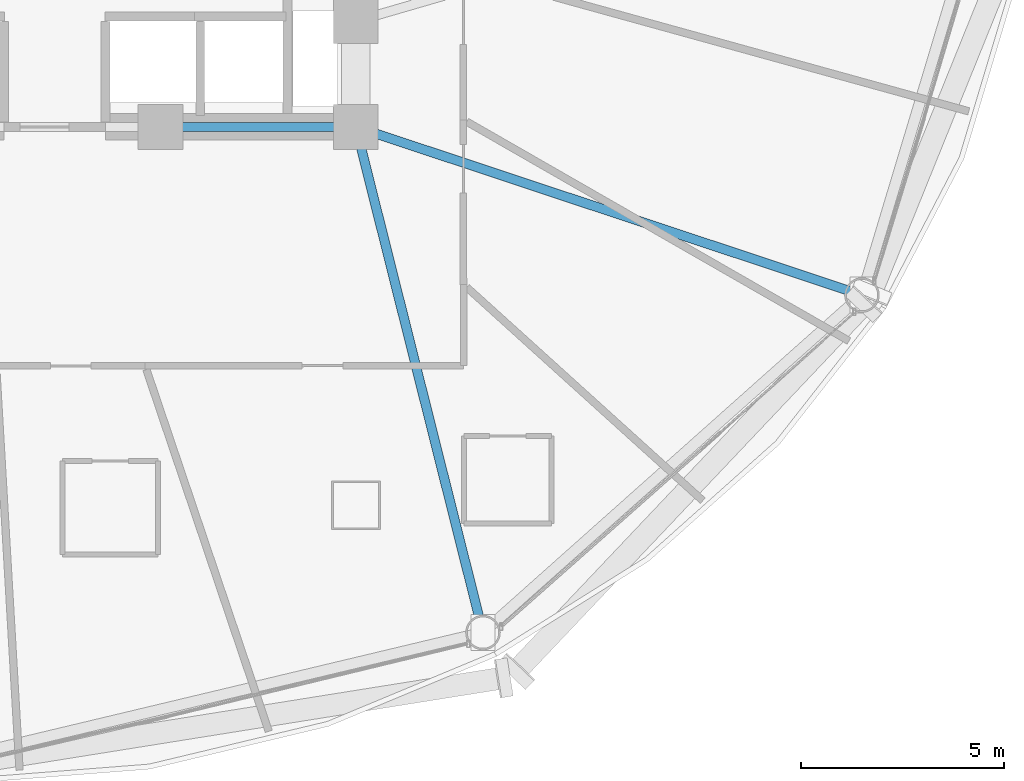
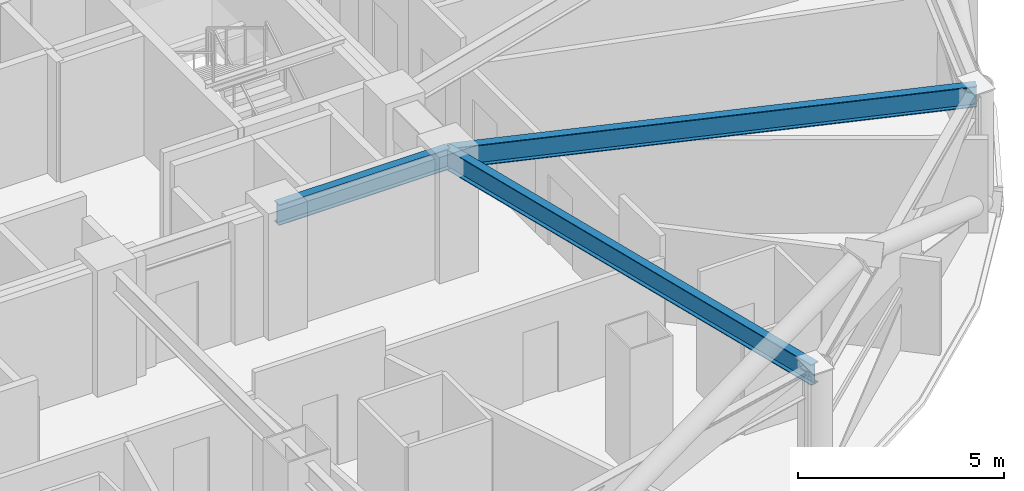
# One storey, part 9 of 31: 3 beams.
"""IFC4 building model written with IfcOpenShell, lengths in metres."""

from ifc_helpers import new_model, si_unit, direction, frame, origin, origin_2d, place, context, subcontext, project, spatial, i_section, extrude, material, material_profile, profile_set, type_object, element, save


model = new_model("IFC4")

# Units and contexts
model_context = context("Model", 3, precision=1e-05, world=origin(), true_north=direction((0.0, 1.0)))
body_context = subcontext(model_context, "Body", "Model", "MODEL_VIEW")
ifc_project = project(units=[si_unit("LENGTHUNIT", "METRE"), si_unit("AREAUNIT", "SQUARE_METRE"), si_unit("VOLUMEUNIT", "CUBIC_METRE"), si_unit("PLANEANGLEUNIT", "RADIAN"), si_unit("MASSUNIT", "GRAM", prefix="KILO")], contexts=[model_context])

# Site, building, storey
site_placement = place(None, origin())
site = spatial("IfcSite", under=ifc_project, at=site_placement, CompositionType="ELEMENT")
building_placement = place(site_placement, origin())
building = spatial("IfcBuilding", under=site, at=building_placement, Name="Vantalir Tower", CompositionType="ELEMENT")
storey_placement = place(building_placement, frame((0.0, 0.0, 34.5)))
storey = spatial("IfcBuildingStorey", under=building, at=storey_placement, Name="L07", CompositionType="ELEMENT", Elevation=34.5)

# Beams
ifc_material = material(Name="Steel S355", Category="steel")
ifc_material_profile = material_profile(ifc_material, i_section(OverallWidth=0.22998046875, OverallDepth=0.616943359375, WebThickness=0.01318359375, FlangeThickness=0.022216796875, at=origin_2d()), Name="Steel S355")
ifc_profile_set = profile_set([ifc_material_profile], Name="Steel S355")
beam_type = type_object("IfcBeamType", Name="BM-RB-610x229", PredefinedType="BEAM", material=ifc_profile_set)
beam_1_placement = place(storey_placement, frame((36.300048828125, 17.800048828125, 3.261962890625), z_axis=(1.0, 0.0, 0.0), x_axis=(0.0, 1.0, 0.0)))
element("IfcBeam", 1, at=beam_1_placement, inside=storey, type_object=beam_type, Name="L07 Core Coupling Girder 04", PredefinedType="BEAM", context=body_context, shape_type="SweptSolid", body=[
    extrude(i_section(OverallWidth=0.22998046875, OverallDepth=0.616943359375, WebThickness=0.01318359375, FlangeThickness=0.022216796875, at=origin_2d()), origin(), (0.0, 0.0, 1.0), 4.800048828125),
])
beam_2_placement = place(storey_placement, frame((44.22509765625, 5.3720703125, 3.261962890625), z_axis=(-0.24385779031, 0.969811001229, 0.0), x_axis=(-0.969811001229, -0.24385779031, 0.0)))
element("IfcBeam", 2, at=beam_2_placement, inside=storey, type_object=beam_type, Name="L07 Radial Floor Beam 11", PredefinedType="BEAM", context=body_context, shape_type="SweptSolid", body=[
    extrude(i_section(OverallWidth=0.22998046875, OverallDepth=0.616943359375, WebThickness=0.01318359375, FlangeThickness=0.022216796875, at=origin_2d()), origin(), (0.0, 0.0, 1.0), 12.81494140625),
])
beam_3_placement = place(storey_placement, frame((53.5400390625, 13.66796875, 3.261962890625), z_axis=(-0.9490161576, 0.315227429984, 0.0), x_axis=(-0.315227429984, -0.9490161576, 0.0)))
element("IfcBeam", 3, at=beam_3_placement, inside=storey, type_object=beam_type, Name="L07 Radial Floor Beam 12", PredefinedType="BEAM", context=body_context, shape_type="SweptSolid", body=[
    extrude(i_section(OverallWidth=0.22998046875, OverallDepth=0.616943359375, WebThickness=0.01318359375, FlangeThickness=0.022216796875, at=origin_2d()), origin(), (0.0, 0.0, 1.0), 13.108154296875),
])

save(model, "model.ifc")
